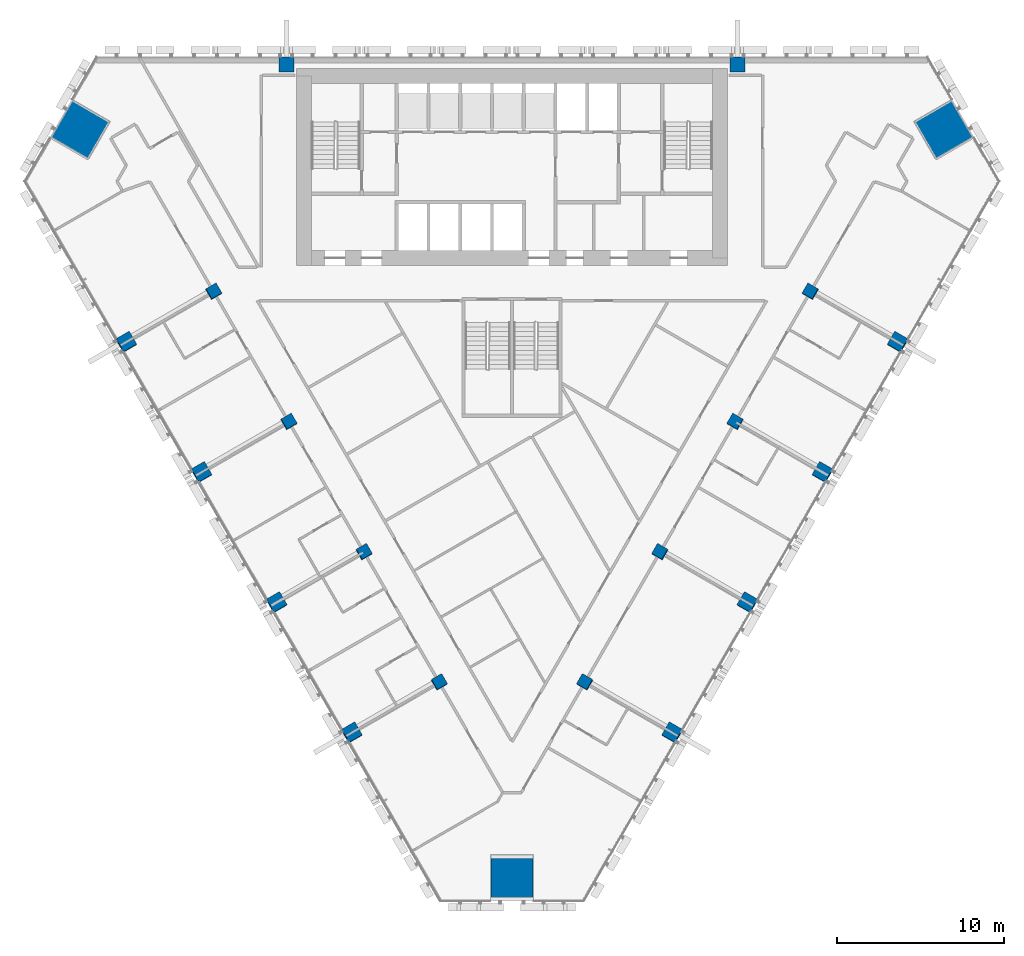
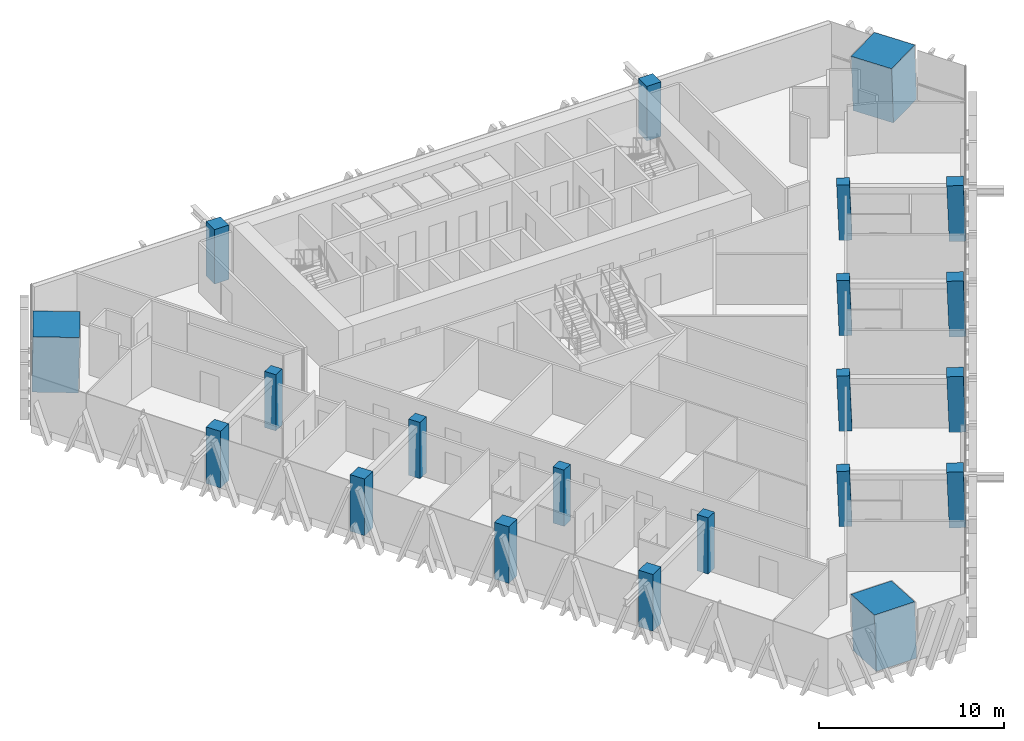
# One storey, part 1 of 15: 21 columns.
"""IFC4 building model written with IfcOpenShell, lengths in metres."""

from ifc_helpers import new_model, si_unit, direction, frame, origin, origin_2d, place, context, subcontext, project, spatial, rectangle, extrude, material, material_profile, profile_set, type_object, element, save


model = new_model("IFC4")

# Units and contexts
model_context = context("Model", 3, precision=1e-05, world=origin(), true_north=direction((0.0, 1.0)))
body_context = subcontext(model_context, "Body", "Model", "MODEL_VIEW")
ifc_project = project(units=[si_unit("LENGTHUNIT", "METRE"), si_unit("AREAUNIT", "SQUARE_METRE"), si_unit("VOLUMEUNIT", "CUBIC_METRE"), si_unit("PLANEANGLEUNIT", "RADIAN"), si_unit("MASSUNIT", "GRAM", prefix="KILO")], contexts=[model_context])

# Site, building, storey
site_placement = place(None, origin())
site = spatial("IfcSite", under=ifc_project, at=site_placement, CompositionType="ELEMENT")
building_placement = place(site_placement, origin())
building = spatial("IfcBuilding", under=site, at=building_placement, Name="Altiplano Prism Tower", CompositionType="ELEMENT")
storey_placement = place(building_placement, frame((0.0, 0.0, 91.800048828125)))
storey = spatial("IfcBuildingStorey", under=building, at=storey_placement, Name="L23", CompositionType="ELEMENT", Elevation=91.800048828125)

# Columns
ifc_material_1 = material(Name="Concrete C60/75", Category="concrete")
ifc_material_profile_1 = material_profile(ifc_material_1, rectangle(XDim=0.699951171875, YDim=0.699951171875, at=origin_2d()), Name="Inner column 700")
ifc_profile_set_1 = profile_set([ifc_material_profile_1], Name="Concrete C60/75")
column_type_1 = type_object("IfcColumnType", Name="Inner column 700", PredefinedType="COLUMN", material=ifc_profile_set_1)
for number, where, z_axis, x_axis, name in (
    (1, (67.132080078125, 90.934326171875, -0.021240234375), (0.022155133694, 0.038483534979, 0.999013597298), (-0.864980082328, -0.500330471121, 0.038456167821), "Inner column I11 L23"),
    (2, (71.632080078125, 83.14013671875, -0.021240234375), (0.02215519141, 0.038415882353, 0.999016199807), (-0.865363468245, -0.499670986493, 0.038405378329), "Inner column I12 L23"),
    (3, (76.132080078125, 75.345947265625, -0.021240234375), (0.02215519141, 0.038415882353, 0.999016199807), (-0.865363485721, -0.499670956286, 0.038405377555), "Inner column I13 L23"),
    (4, (80.632080078125, 67.5517578125, -0.021240234375), (0.02215519141, 0.038415882353, 0.999016199807), (-0.865361930339, -0.499673644695, 0.03840544644), "Inner column I14 L23"),
    (5, (89.367919921875, 67.5517578125, -0.021240234375), (-0.02215519141, 0.038415882353, 0.999016199807), (-0.500657444779, -0.865361467122, 0.022173276868), "Inner column I21 L23"),
    (6, (93.867919921875, 75.345947265625, -0.021240234375), (-0.02215519141, 0.038415882353, 0.999016199807), (-0.500654756369, -0.865363019447, 0.022173396181), "Inner column I22 L23"),
    (7, (98.367919921875, 83.14013671875, -0.021240234375), (-0.02215519141, 0.038415882353, 0.999016199807), (-0.500654786576, -0.865363002005, 0.022173394841), "Inner column I23 L23"),
    (8, (102.867919921875, 90.934326171875, -0.021240234375), (-0.022155133694, 0.038483534979, 0.999013597298), (-0.501312238363, -0.864981546016, 0.02220280883), "Inner column I24 L23"),
):
    element("IfcColumn", number, at=place(storey_placement, frame(where, z_axis=z_axis, x_axis=x_axis)), inside=storey, type_object=column_type_1, Name=name, PredefinedType="COLUMN", context=body_context, shape_type="SweptSolid", body=[
        extrude(rectangle(XDim=0.699951171875, YDim=0.699951171875, at=origin_2d()), origin(), (0.0, 0.0, 1.0), 3.603515625),
    ])
ifc_material_2 = material(Name="Concrete C70/85", Category="concrete")
ifc_material_profile_2 = material_profile(ifc_material_2, rectangle(XDim=2.52001953125, YDim=2.52001953125, at=origin_2d()), Name="Mega column infill 2600")
ifc_profile_set_2 = profile_set([ifc_material_profile_2], Name="Concrete C70/85")
column_type_2 = type_object("IfcColumnType", Name="Mega column infill 2600", PredefinedType="COLUMN", material=ifc_profile_set_2)
column_1_placement = place(storey_placement, frame((59.09326171875, 100.619873046875, 0.0), z_axis=(0.028403739082, 0.009219352065, 0.999554016126), x_axis=(-0.865122942828, 0.501162491493, 0.01996123528)))
element("IfcColumn", 9, at=column_1_placement, inside=storey, type_object=column_type_2, Name="Mega column M0 L23", PredefinedType="COLUMN", context=body_context, shape_type="SweptSolid", body=[
    extrude(rectangle(XDim=2.52001953125, YDim=2.52001953125, at=origin_2d()), origin(), (0.0, 0.0, 1.0), 3.6015625),
])
column_2_placement = place(storey_placement, frame((85.0, 55.748046875, 0.0), z_axis=(0.0, 0.058360852261, 0.998295552892), x_axis=(-1.0, 0.0, 0.0)))
element("IfcColumn", 10, at=column_2_placement, inside=storey, type_object=column_type_2, Name="Mega column M1 L23", PredefinedType="COLUMN", context=body_context, shape_type="SweptSolid", body=[
    extrude(rectangle(XDim=2.52001953125, YDim=2.52001953125, at=origin_2d()), origin(), (0.0, 0.0, 1.0), 3.60595703125),
])
column_3_placement = place(storey_placement, frame((110.90673828125, 100.619873046875, 0.0), z_axis=(-0.028403739082, 0.009219352065, 0.999554016126), x_axis=(0.500754951448, -0.865304085665, 0.022210761635)))
element("IfcColumn", 11, at=column_3_placement, inside=storey, type_object=column_type_2, Name="Mega column M2 L23", PredefinedType="COLUMN", context=body_context, shape_type="SweptSolid", body=[
    extrude(rectangle(XDim=2.52001953125, YDim=2.52001953125, at=origin_2d()), origin(), (0.0, 0.0, 1.0), 3.6015625),
])
ifc_material_profile_3 = material_profile(ifc_material_1, rectangle(XDim=0.89990234375, YDim=0.89990234375, at=origin_2d()), Name="Perimeter column 900")
ifc_profile_set_3 = profile_set([ifc_material_profile_3], Name="Concrete C60/75")
column_type_3 = type_object("IfcColumnType", Name="Perimeter column 900", PredefinedType="COLUMN", material=ifc_profile_set_3)
for number, where, z_axis, x_axis, name in (
    (12, (98.5, 104.550048828125, 0.0), (0.0, 0.0, 1.0), (1.0, 0.0, 0.0), "Perimeter column P01 L23"),
    (13, (71.5, 104.550048828125, 0.0), (0.0, 0.0, 1.0), (1.0, 0.0, 0.0), "Perimeter column P04 L23"),
):
    element("IfcColumn", number, at=place(storey_placement, frame(where, z_axis=z_axis, x_axis=x_axis)), inside=storey, type_object=column_type_3, Name=name, PredefinedType="COLUMN", context=body_context, shape_type="SweptSolid", body=[
        extrude(rectangle(XDim=0.89990234375, YDim=0.89990234375, at=origin_2d()), origin(), (0.0, 0.0, 1.0), 3.599853515625),
    ])
for number, where, z_axis, x_axis, name in (
    (14, (61.892333984375, 87.9091796875, -0.02734375), (0.022189843276, 0.038462395012, 0.999013641061), (-0.865440194325, -0.49953425098, 0.038455196587), "Perimeter column P11 L23"),
    (15, (66.392333984375, 80.114990234375, -0.02734375), (0.022189900615, 0.038395252277, 0.999016222548), (-0.865818023011, -0.498882964224, 0.038404935059), "Perimeter column P12 L23"),
    (16, (70.892333984375, 72.320556640625, -0.02734375), (0.022189843276, 0.038462395012, 0.999013641061), (-0.865438665568, -0.499536894313, 0.0384552644), "Perimeter column P13 L23"),
    (17, (75.392333984375, 64.5263671875, -0.02734375), (0.022189843276, 0.038462395012, 0.999013641061), (-0.865437110595, -0.499539582956, 0.038455333375), "Perimeter column P14 L23"),
    (18, (94.607666015625, 64.5263671875, -0.02734375), (-0.022189843276, 0.038462395012, 0.999013641061), (-0.500525941845, -0.865436796786, 0.022202078949), "Perimeter column P21 L23"),
    (19, (99.107666015625, 72.320556640625, -0.02734375), (-0.022189843276, 0.038462395012, 0.999013641061), (-0.500523253201, -0.865438348694, 0.022202198418), "Perimeter column P22 L23"),
    (20, (103.607666015625, 80.114990234375, -0.02734375), (-0.022189900615, 0.038395252277, 0.999016222548), (-0.499866741583, -0.865818452454, 0.022173138024), "Perimeter column P23 L23"),
    (21, (108.107666015625, 87.9091796875, -0.02734375), (-0.022189843276, 0.038462395012, 0.999013641061), (-0.500520609867, -0.865439874439, 0.022202315873), "Perimeter column P24 L23"),
):
    element("IfcColumn", number, at=place(storey_placement, frame(where, z_axis=z_axis, x_axis=x_axis)), inside=storey, type_object=column_type_3, Name=name, PredefinedType="COLUMN", context=body_context, shape_type="SweptSolid", body=[
        extrude(rectangle(XDim=0.89990234375, YDim=0.89990234375, at=origin_2d()), origin(), (0.0, 0.0, 1.0), 3.630859375),
    ])

save(model, "model.ifc")
